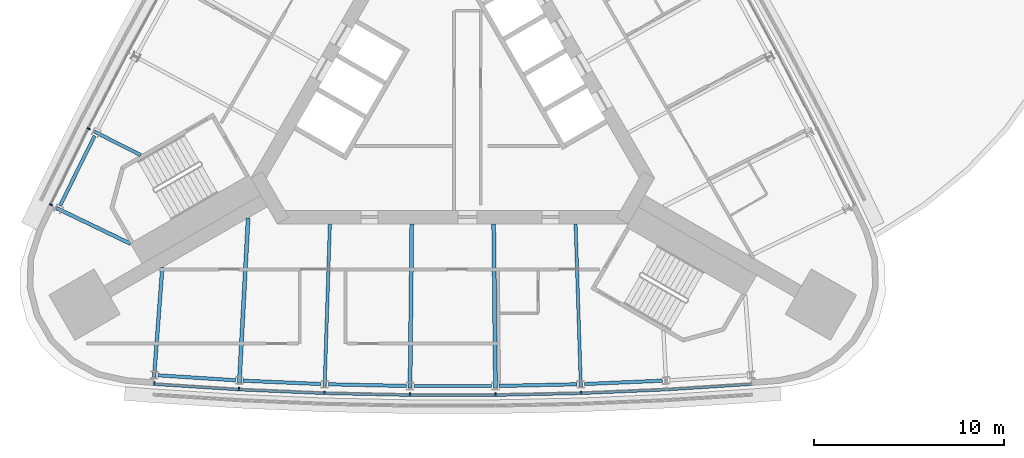
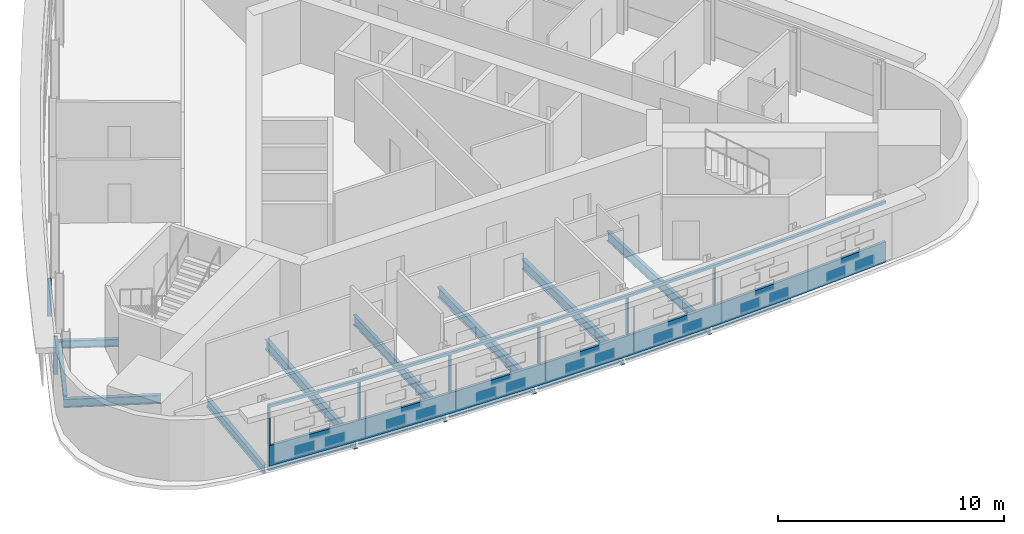
# One storey, part 2 of 12: 15 beams, 10 members, 2 elements without a shape of their own.
"""IFC4 building model written with IfcOpenShell, lengths in metres."""

from ifc_helpers import new_model, si_unit, direction, frame, origin, origin_2d, place, context, subcontext, project, spatial, polyline, rectangle, i_section, outline, extrude, material, material_profile, profile_set, type_object, element, aggregate, save


model = new_model("IFC4")

# Units and contexts
model_context = context("Model", 3, precision=1e-05, world=origin(), true_north=direction((0.0, 1.0)))
body_context = subcontext(model_context, "Body", "Model", "MODEL_VIEW")
ifc_project = project(units=[si_unit("LENGTHUNIT", "METRE"), si_unit("AREAUNIT", "SQUARE_METRE"), si_unit("VOLUMEUNIT", "CUBIC_METRE"), si_unit("PLANEANGLEUNIT", "RADIAN"), si_unit("MASSUNIT", "GRAM", prefix="KILO")], contexts=[model_context])

# Site, building, storey
site_placement = place(None, origin())
site = spatial("IfcSite", under=ifc_project, at=site_placement, CompositionType="ELEMENT")
building_placement = place(site_placement, origin())
building = spatial("IfcBuilding", under=site, at=building_placement, Name="Noor Cloister Tower", CompositionType="ELEMENT")
storey_placement = place(building_placement, frame((0.0, 0.0, 185.10009765625)))
storey = spatial("IfcBuildingStorey", under=building, at=storey_placement, Name="L47", CompositionType="ELEMENT", Elevation=185.10009765625)

# Curtain wall, member
ifc_material_1 = material(Name="Aluminium 6063-T6 anodised", Category="aluminium")
curtain_wall_type = type_object("IfcCurtainWallType", Name="Ribbon curtain wall, upper tower CW5", PredefinedType="NOTDEFINED", material=ifc_material_1)
curtain_wall_1_placement = place(storey_placement, origin())
curtain_wall_1 = element("IfcCurtainWall", 1, at=curtain_wall_1_placement, inside=storey, type_object=curtain_wall_type, Name="CW5 L47 S run 2", PredefinedType="NOTDEFINED")
ifc_material_2 = material(Name="Aluminium 6063-T6 anodised", Category="aluminium")
member_type_1 = type_object("IfcMemberType", Name="Head transom CW5 150", PredefinedType="USERDEFINED", material=ifc_material_2)
member_1_placement = place(storey_placement, frame((0.0, 0.0, 3.14990234375)))
member_1 = element("IfcMember", 2, at=member_1_placement, type_object=member_type_1, Name="CW5 head transom", ObjectType="TRANSOM", PredefinedType="USERDEFINED", context=body_context, shape_type="SweptSolid", body=[
    extrude(outline(polyline([(-15.7353515625, -15.428955078125), (-11.24462890625, -15.7177734375), (-6.748779296875, -15.910400390625), (-2.25, -16.0068359375), (2.25, -16.0068359375), (6.748779296875, -15.910400390625), (11.24462890625, -15.7177734375), (15.7353515625, -15.428955078125), (15.726318359375, -15.289306640625), (11.237060546875, -15.578125), (6.744384765625, -15.7705078125), (2.24853515625, -15.86669921875), (-2.24853515625, -15.86669921875), (-6.744384765625, -15.7705078125), (-11.237060546875, -15.578125), (-15.726318359375, -15.289306640625), (-15.7353515625, -15.428955078125)])), origin(), (0.0, 0.0, 1.0), 0.14990234375),
])

# Curtain wall, members
curtain_wall_2_placement = place(storey_placement, origin())
curtain_wall_2 = element("IfcCurtainWall", 3, at=curtain_wall_2_placement, inside=storey, type_object=curtain_wall_type, Name="CW5 L47 NW run 1", PredefinedType="NOTDEFINED")
ifc_material_3 = material(Name="Aluminium 6063-T6 anodised", Category="aluminium")
ifc_material_profile_1 = material_profile(ifc_material_3, rectangle(XDim=0.179931640625, YDim=0.070068359375, at=origin_2d()), Name="180 x 70 mullion")
ifc_profile_set_1 = profile_set([ifc_material_profile_1], Name="Aluminium 6063-T6 anodised")
member_type_2 = type_object("IfcMemberType", Name="Mullion CW5 70 x 180", PredefinedType="MULLION", material=ifc_profile_set_1)
member_2_placement = place(storey_placement, frame((-19.145263671875, -1.924560546875, 1.099853515625), z_axis=(0.0, 0.0, 1.0), x_axis=(0.891532671341, -0.452956395178, 0.0)))
member_2 = element("IfcMember", 4, at=member_2_placement, type_object=member_type_2, Name="CW5 mullion 7", PredefinedType="MULLION", context=body_context, shape_type="SweptSolid", body=[
    extrude(rectangle(XDim=0.179931640625, YDim=0.070068359375, at=origin_2d()), origin(), (0.0, 0.0, 1.0), 2.050048828125),
])
member_3_placement = place(storey_placement, frame((-21.12451171875, -5.925537109375, 1.099853515625), z_axis=(0.0, 0.0, 1.0), x_axis=(0.896329965837, -0.443387632149, 0.0)))
member_3 = element("IfcMember", 5, at=member_3_placement, type_object=member_type_2, Name="CW5 mullion 8", PredefinedType="MULLION", context=body_context, shape_type="SweptSolid", body=[
    extrude(rectangle(XDim=0.179931640625, YDim=0.070068359375, at=origin_2d()), origin(), (0.0, 0.0, 1.0), 2.050048828125),
])
aggregate(curtain_wall_2, [member_2, member_3])

# Member
member_4_placement = place(storey_placement, frame((-15.69384765625, -15.33154296875, 1.099853515625), z_axis=(0.0, 0.0, 1.0), x_axis=(0.064180029753, 0.997938336663, 0.0)))
member_4 = element("IfcMember", 6, at=member_4_placement, type_object=member_type_2, Name="CW5 mullion 1", PredefinedType="MULLION", context=body_context, shape_type="SweptSolid", body=[
    extrude(rectangle(XDim=0.179931640625, YDim=0.070068359375, at=origin_2d()), origin(), (0.0, 0.0, 1.0), 2.050048828125),
])

member_5_placement = place(storey_placement, frame((-11.2392578125, -15.617919921875, 1.099853515625), z_axis=(0.0, 0.0, 1.0), x_axis=(0.05349459064, 0.998568139274, 0.0)))
member_5 = element("IfcMember", 7, at=member_5_placement, type_object=member_type_2, Name="CW5 mullion 2", PredefinedType="MULLION", context=body_context, shape_type="SweptSolid", body=[
    extrude(rectangle(XDim=0.179931640625, YDim=0.070068359375, at=origin_2d()), origin(), (0.0, 0.0, 1.0), 2.050048828125),
])

member_6_placement = place(storey_placement, frame((-6.74560546875, -15.810546875, 1.099853515625), z_axis=(0.0, 0.0, 1.0), x_axis=(0.032106567377, 0.99948445127, 0.0)))
member_6 = element("IfcMember", 8, at=member_6_placement, type_object=member_type_2, Name="CW5 mullion 3", PredefinedType="MULLION", context=body_context, shape_type="SweptSolid", body=[
    extrude(rectangle(XDim=0.179931640625, YDim=0.070068359375, at=origin_2d()), origin(), (0.0, 0.0, 1.0), 2.050048828125),
])

member_7_placement = place(storey_placement, frame((-2.248779296875, -15.90673828125, 1.099853515625), z_axis=(0.0, 0.0, 1.0), x_axis=(0.010703830086, 0.99994271237, 0.0)))
member_7 = element("IfcMember", 9, at=member_7_placement, type_object=member_type_2, Name="CW5 mullion 4", PredefinedType="MULLION", context=body_context, shape_type="SweptSolid", body=[
    extrude(rectangle(XDim=0.179931640625, YDim=0.070068359375, at=origin_2d()), origin(), (0.0, 0.0, 1.0), 2.050048828125),
])

member_8_placement = place(storey_placement, frame((2.248779296875, -15.90673828125, 1.099853515625), z_axis=(0.0, 0.0, 1.0), x_axis=(-0.010703830086, 0.99994271237, 0.0)))
member_8 = element("IfcMember", 10, at=member_8_placement, type_object=member_type_2, Name="CW5 mullion 5", PredefinedType="MULLION", context=body_context, shape_type="SweptSolid", body=[
    extrude(rectangle(XDim=0.179931640625, YDim=0.070068359375, at=origin_2d()), origin(), (0.0, 0.0, 1.0), 2.050048828125),
])

member_9_placement = place(storey_placement, frame((6.74560546875, -15.810546875, 1.099853515625), z_axis=(0.0, 0.0, 1.0), x_axis=(-0.032106567377, 0.99948445127, 0.0)))
member_9 = element("IfcMember", 11, at=member_9_placement, type_object=member_type_2, Name="CW5 mullion 6", PredefinedType="MULLION", context=body_context, shape_type="SweptSolid", body=[
    extrude(rectangle(XDim=0.179931640625, YDim=0.070068359375, at=origin_2d()), origin(), (0.0, 0.0, 1.0), 2.050048828125),
])

# Beams
ifc_material_4 = material(Name="Steel ASTM A992 Gr 50", Category="steel")
ifc_material_profile_2 = material_profile(ifc_material_4, i_section(OverallWidth=0.177978515625, OverallDepth=0.406005859375, WebThickness=0.0078125, FlangeThickness=0.0126953125, FilletRadius=0.01025390625, at=origin_2d()), Name="W410x60")
ifc_profile_set_2 = profile_set([ifc_material_profile_2], Name="Steel ASTM A992 Gr 50")
beam_type_1 = type_object("IfcBeamType", Name="Radial beam W410x60", PredefinedType="BEAM", material=ifc_profile_set_2)
beam_1_placement = place(storey_placement, frame((-18.843994140625, -2.07763671875, -0.403076171875), z_axis=(0.891546185456, -0.452929795, 0.0), x_axis=(0.452929795, 0.891546185456, 0.0)))
element("IfcBeam", 12, at=beam_1_placement, inside=storey, type_object=beam_type_1, Name="Radial beam NW 07 L47", PredefinedType="BEAM", context=body_context, shape_type="SweptSolid", body=[
    extrude(i_section(OverallWidth=0.177978515625, OverallDepth=0.406005859375, WebThickness=0.0078125, FlangeThickness=0.0126953125, FilletRadius=0.01025390625, at=origin_2d()), origin(), (0.0, 0.0, 1.0), 2.72900390625),
])
ifc_material_5 = material(Name="Steel ASTM A992 Gr 50", Category="steel")
ifc_material_profile_3 = material_profile(ifc_material_5, i_section(OverallWidth=0.19091796875, OverallDepth=0.45703125, WebThickness=0.009033203125, FlangeThickness=0.014404296875, FilletRadius=0.01025390625, at=origin_2d()), Name="W460x74")
ifc_profile_set_3 = profile_set([ifc_material_profile_3], Name="Steel ASTM A992 Gr 50")
beam_type_2 = type_object("IfcBeamType", Name="Radial beam W460x74", PredefinedType="BEAM", material=ifc_profile_set_3)
beam_2_placement = place(storey_placement, frame((-20.8349609375, -6.1025390625, -0.4287109375), z_axis=(0.901017184734, -0.43378339389, 0.0), x_axis=(0.43378339389, 0.901017184734, 0.0)))
element("IfcBeam", 13, at=beam_2_placement, inside=storey, type_object=beam_type_2, Name="Radial beam NW 08 L47", PredefinedType="BEAM", context=body_context, shape_type="SweptSolid", body=[
    extrude(i_section(OverallWidth=0.19091796875, OverallDepth=0.45703125, WebThickness=0.009033203125, FlangeThickness=0.014404296875, FilletRadius=0.01025390625, at=origin_2d()), origin(), (0.0, 0.0, 1.0), 4.328125),
])
beam_3_placement = place(storey_placement, frame((-15.702392578125, -14.9921875, -0.4287109375), z_axis=(0.074861245098, 0.997193960061, 0.0), x_axis=(-0.997193960061, 0.074861245098, 0.0)))
element("IfcBeam", 14, at=beam_3_placement, inside=storey, type_object=beam_type_2, Name="Radial beam S 01 L47", PredefinedType="BEAM", context=body_context, shape_type="SweptSolid", body=[
    extrude(i_section(OverallWidth=0.19091796875, OverallDepth=0.45703125, WebThickness=0.009033203125, FlangeThickness=0.014404296875, FilletRadius=0.01025390625, at=origin_2d()), origin(), (0.0, 0.0, 1.0), 5.788818359375),
])
ifc_material_6 = material(Name="Steel ASTM A992 Gr 50", Category="steel")
ifc_material_profile_4 = material_profile(ifc_material_6, i_section(OverallWidth=0.166015625, OverallDepth=0.528076171875, WebThickness=0.009765625, FlangeThickness=0.013671875, FilletRadius=0.0126953125, at=origin_2d()), Name="W530x74")
ifc_profile_set_4 = profile_set([ifc_material_profile_4], Name="Steel ASTM A992 Gr 50")
beam_type_3 = type_object("IfcBeamType", Name="Radial beam W530x74", PredefinedType="BEAM", material=ifc_profile_set_4)
for number, where, z_axis, x_axis, name in (
    (15, (-6.73486328125, -15.47265625, -0.464111328125), (0.032128099585, 0.999483759356, 0.0), (-0.999483759356, 0.032128099585, 0.0), "Radial beam S 03 L47"),
    (16, (6.73486328125, -15.47265625, -0.464111328125), (-0.032128099585, 0.999483759356, 0.0), (-0.999483759356, -0.032128099585, 0.0), "Radial beam S 06 L47"),
):
    element("IfcBeam", number, at=place(storey_placement, frame(where, z_axis=z_axis, x_axis=x_axis)), inside=storey, type_object=beam_type_3, Name=name, PredefinedType="BEAM", context=body_context, shape_type="SweptSolid", body=[
        extrude(i_section(OverallWidth=0.166015625, OverallDepth=0.528076171875, WebThickness=0.009765625, FlangeThickness=0.013671875, FilletRadius=0.0126953125, at=origin_2d()), origin(), (0.0, 0.0, 1.0), 8.548828125),
    ])
ifc_material_7 = material(Name="Steel ASTM A992 Gr 50", Category="steel")
ifc_material_profile_5 = material_profile(ifc_material_7, i_section(OverallWidth=0.208984375, OverallDepth=0.532958984375, WebThickness=0.01025390625, FlangeThickness=0.015625, FilletRadius=0.0126953125, at=origin_2d()), Name="W530x92")
ifc_profile_set_5 = profile_set([ifc_material_profile_5], Name="Steel ASTM A992 Gr 50")
beam_type_4 = type_object("IfcBeamType", Name="Radial beam W530x92", PredefinedType="BEAM", material=ifc_profile_set_5)
beam_4_placement = place(storey_placement, frame((-11.22119140625, -15.280517578125, -0.466552734375), z_axis=(0.053480194356, 0.998568910397, 0.0), x_axis=(-0.998568910397, 0.053480194356, 0.0)))
element("IfcBeam", 17, at=beam_4_placement, inside=storey, type_object=beam_type_4, Name="Radial beam S 02 L47", PredefinedType="BEAM", context=body_context, shape_type="SweptSolid", body=[
    extrude(i_section(OverallWidth=0.208984375, OverallDepth=0.532958984375, WebThickness=0.01025390625, FlangeThickness=0.015625, FilletRadius=0.0126953125, at=origin_2d()), origin(), (0.0, 0.0, 1.0), 8.67822265625),
])
for number, where, z_axis, x_axis, name in (
    (18, (-2.245361328125, -15.56884765625, -0.466552734375), (0.010708020767, 0.999942667502, 0.0), (-0.999942667502, 0.010708020767, 0.0), "Radial beam S 04 L47"),
    (19, (2.245361328125, -15.56884765625, -0.466552734375), (-0.010708020767, 0.999942667502, 0.0), (-0.999942667502, -0.010708020767, 0.0), "Radial beam S 05 L47"),
):
    element("IfcBeam", number, at=place(storey_placement, frame(where, z_axis=z_axis, x_axis=x_axis)), inside=storey, type_object=beam_type_4, Name=name, PredefinedType="BEAM", context=body_context, shape_type="SweptSolid", body=[
        extrude(i_section(OverallWidth=0.208984375, OverallDepth=0.532958984375, WebThickness=0.01025390625, FlangeThickness=0.015625, FilletRadius=0.0126953125, at=origin_2d()), origin(), (0.0, 0.0, 1.0), 8.64111328125),
    ])

# Member
ifc_material_8 = material(Name="Aluminium 6063-T6 anodised", Category="aluminium")
member_type_3 = type_object("IfcMemberType", Name="Sill transom CW5 1100", PredefinedType="USERDEFINED", material=ifc_material_8)
member_10_placement = place(storey_placement, origin())
member_10 = element("IfcMember", 20, at=member_10_placement, type_object=member_type_3, Name="CW5 sill transom", ObjectType="TRANSOM", PredefinedType="USERDEFINED", context=body_context, shape_type="SweptSolid", body=[
    extrude(outline(polyline([(-15.7353515625, -15.428955078125), (-11.24462890625, -15.7177734375), (-6.748779296875, -15.910400390625), (-2.25, -16.0068359375), (2.25, -16.0068359375), (6.748779296875, -15.910400390625), (11.24462890625, -15.7177734375), (15.7353515625, -15.428955078125), (15.726318359375, -15.289306640625), (11.237060546875, -15.578125), (6.744384765625, -15.7705078125), (2.24853515625, -15.86669921875), (-2.24853515625, -15.86669921875), (-6.744384765625, -15.7705078125), (-11.237060546875, -15.578125), (-15.726318359375, -15.289306640625), (-15.7353515625, -15.428955078125)])), origin(), (0.0, 0.0, 1.0), 1.099853515625),
])

aggregate(curtain_wall_1, [member_4, member_5, member_6, member_7, member_8, member_9, member_10, member_1])

# Beams
ifc_material_9 = material(Name="Steel ASTM A992 Gr 50", Category="steel")
ifc_material_profile_6 = material_profile(ifc_material_9, i_section(OverallWidth=0.177978515625, OverallDepth=0.406005859375, WebThickness=0.0078125, FlangeThickness=0.0126953125, FilletRadius=0.01025390625, at=origin_2d()), Name="W410x60")
ifc_profile_set_6 = profile_set([ifc_material_profile_6], Name="Steel ASTM A992 Gr 50")
beam_type_5 = type_object("IfcBeamType", Name="Spandrel beam W410x60", PredefinedType="SPANDREL", material=ifc_profile_set_6)
for number, where, z_axis, x_axis, name in (
    (21, (-18.831298828125, -2.304931640625, -0.403076171875), (-0.443417035745, -0.896315420157, 0.0), (0.896315420157, -0.443417035745, 0.0), "Spandrel beam NW 07 L47"),
    (22, (-15.49755859375, -14.893310546875, -0.403076171875), (0.997939374262, -0.064163894037, 0.0), (0.064163894037, 0.997939374262, 0.0), "Spandrel beam S 01 L47"),
):
    element("IfcBeam", number, at=place(storey_placement, frame(where, z_axis=z_axis, x_axis=x_axis)), inside=storey, type_object=beam_type_5, Name=name, PredefinedType="SPANDREL", context=body_context, shape_type="SweptSolid", body=[
        extrude(i_section(OverallWidth=0.177978515625, OverallDepth=0.406005859375, WebThickness=0.0078125, FlangeThickness=0.0126953125, FilletRadius=0.01025390625, at=origin_2d()), origin(), (0.0, 0.0, 1.0), 4.09423828125),
    ])
beam_5_placement = place(storey_placement, frame((-11.018310546875, -15.177001953125, -0.403076171875), z_axis=(0.999082968702, -0.04281613773, 0.0), x_axis=(0.04281613773, 0.999082968702, 0.0)))
element("IfcBeam", 23, at=beam_5_placement, inside=storey, type_object=beam_type_5, Name="Spandrel beam S 02 L47", PredefinedType="SPANDREL", context=body_context, shape_type="SweptSolid", body=[
    extrude(i_section(OverallWidth=0.177978515625, OverallDepth=0.406005859375, WebThickness=0.0078125, FlangeThickness=0.0126953125, FilletRadius=0.01025390625, at=origin_2d()), origin(), (0.0, 0.0, 1.0), 4.093994140625),
])
for number, where, z_axis, x_axis, name in (
    (24, (-6.5341796875, -15.364990234375, -0.403076171875), (0.999770833744, -0.021407475207, 0.0), (0.021407475207, 0.999770833744, 0.0), "Spandrel beam S 03 L47"),
    (25, (-2.047119140625, -15.456787109375, -0.403076171875), (1.0, 0.0, 0.0), (0.0, 1.0, 0.0), "Spandrel beam S 04 L47"),
    (26, (2.44091796875, -15.45263671875, -0.403076171875), (0.999770833744, 0.021407475207, 0.0), (-0.021407475207, 0.999770833744, 0.0), "Spandrel beam S 05 L47"),
):
    element("IfcBeam", number, at=place(storey_placement, frame(where, z_axis=z_axis, x_axis=x_axis)), inside=storey, type_object=beam_type_5, Name=name, PredefinedType="SPANDREL", context=body_context, shape_type="SweptSolid", body=[
        extrude(i_section(OverallWidth=0.177978515625, OverallDepth=0.406005859375, WebThickness=0.0078125, FlangeThickness=0.0126953125, FilletRadius=0.01025390625, at=origin_2d()), origin(), (0.0, 0.0, 1.0), 4.09423828125),
    ])
beam_6_placement = place(storey_placement, frame((6.927978515625, -15.352294921875, -0.403076171875), z_axis=(0.999082968702, 0.04281613773, 0.0), x_axis=(-0.04281613773, 0.999082968702, 0.0)))
element("IfcBeam", 27, at=beam_6_placement, inside=storey, type_object=beam_type_5, Name="Spandrel beam S 06 L47", PredefinedType="SPANDREL", context=body_context, shape_type="SweptSolid", body=[
    extrude(i_section(OverallWidth=0.177978515625, OverallDepth=0.406005859375, WebThickness=0.0078125, FlangeThickness=0.0126953125, FilletRadius=0.01025390625, at=origin_2d()), origin(), (0.0, 0.0, 1.0), 4.093994140625),
])

save(model, "model.ifc")
